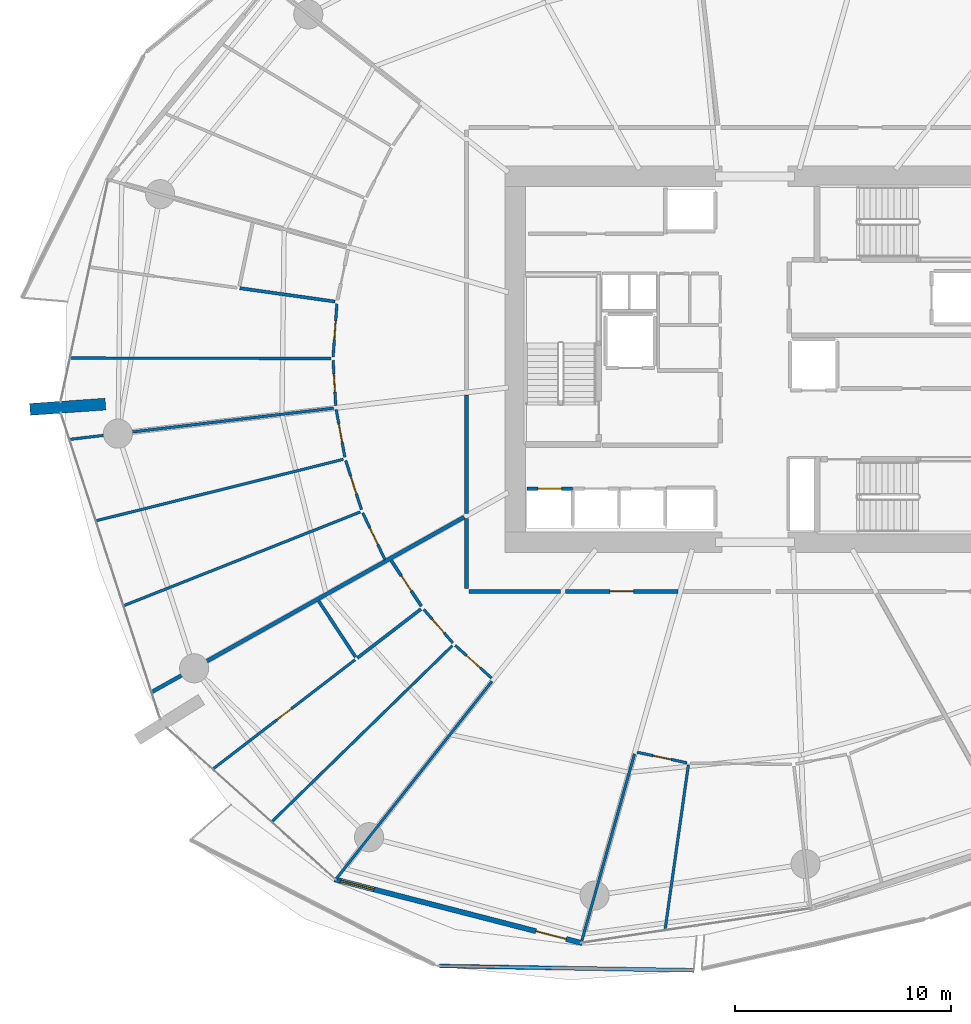
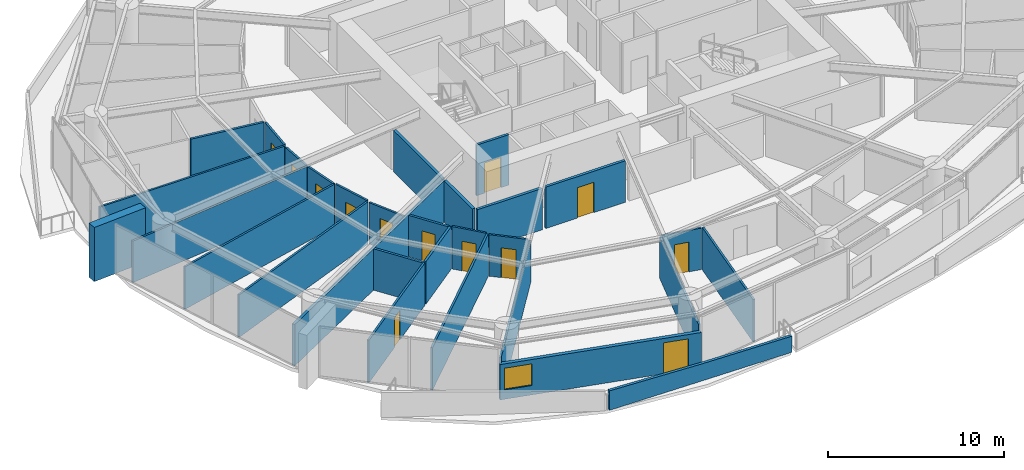
# One storey, part 19 of 32: 30 walls, 13 doors, 1 window, 14 openings.
"""IFC4 building model written with IfcOpenShell, lengths in metres."""

from ifc_helpers import new_model, si_unit, direction, frame, frame_2d, origin, place, context, subcontext, project, spatial, polyline, rectangle, outline, extrude, material, layer, layer_set, type_object, element, fill, save


model = new_model("IFC4")

# Units and contexts
model_context = context("Model", 3, precision=1e-05, world=origin(), true_north=direction((0.0, 1.0)))
body_context = subcontext(model_context, "Body", "Model", "MODEL_VIEW")
ifc_project = project(units=[si_unit("LENGTHUNIT", "METRE"), si_unit("AREAUNIT", "SQUARE_METRE"), si_unit("VOLUMEUNIT", "CUBIC_METRE"), si_unit("PLANEANGLEUNIT", "RADIAN"), si_unit("MASSUNIT", "GRAM", prefix="KILO")], contexts=[model_context])

# Site, building, storey
site_placement = place(None, origin())
site = spatial("IfcSite", under=ifc_project, at=site_placement, CompositionType="ELEMENT")
building_placement = place(site_placement, origin())
building = spatial("IfcBuilding", under=site, at=building_placement, Name="Kazma Halo Residences", CompositionType="ELEMENT")
storey_placement = place(building_placement, frame((0.0, 0.0, 63.89990234375)))
storey = spatial("IfcBuildingStorey", under=building, at=storey_placement, Name="L15", CompositionType="ELEMENT", Elevation=63.89990234375)

# Walls
ifc_material_1 = material(Name="White Concrete C50/60 Balustrade", Category="concrete")
ifc_layer_1 = layer(ifc_material_1, 0.179931640625)
ifc_layer_set_1 = layer_set([ifc_layer_1], Name="White Concrete C50/60 Balustrade")
wall_type_1 = type_object("IfcWallType", Name="WL-BAL-WAVE-180", PredefinedType="PARAPET", material=ifc_layer_set_1)
wall_1_placement = place(storey_placement, frame((33.796142578125, 13.8857421875, 0.0), z_axis=(0.0, 0.0, 1.0), x_axis=(0.999855793441, -0.016982117721, 0.0)))
element("IfcWall", 1, at=wall_1_placement, inside=storey, type_object=wall_type_1, Name="L15 white wave balustrade wall SW.2", PredefinedType="PARAPET", context=body_context, shape_type="SweptSolid", body=[
    extrude(outline(polyline([(0.0, 0.0), (11.802978515625, 0.0), (11.802978515625, 1.1201171875), (5.901611328125, 1.18212890625), (0.0, 1.34814453125), (0.0, 0.0)])), frame((0.0, 0.08984375, 0.0), z_axis=(0.0, -1.0, 0.0), x_axis=(1.0, 0.0, 0.0)), (0.0, 0.0, 1.0), 0.179931640625),
])
ifc_material_2 = material(Name="Pale Concrete C60/75", Category="concrete")
ifc_layer_2 = layer(ifc_material_2, 0.550048828125)
ifc_layer_set_2 = layer_set([ifc_layer_2], Name="Pale Concrete C60/75")
wall_type_2 = type_object("IfcWallType", Name="WL-BLADE-550", PredefinedType="SOLIDWALL", material=ifc_layer_set_2)
wall_2_placement = place(storey_placement, frame((18.322021484375, 39.9248046875, 0.0), z_axis=(0.0, 0.0, 1.0), x_axis=(-0.997564163539, -0.069754853754, 0.0)))
element("IfcWall", 2, at=wall_2_placement, inside=storey, type_object=wall_type_2, Name="L15 pale concrete structural blade fin wall BW-02", PredefinedType="SOLIDWALL", context=body_context, shape_type="SweptSolid", body=[
    extrude(rectangle(XDim=3.5, YDim=0.550048828125, at=frame_2d((1.75, 0.0))), origin(), (0.0, 0.0, 1.0), 3.75),
])
ifc_material_3 = material(Name="Acoustic Twin-Stud Gypsum")
ifc_layer_3 = layer(ifc_material_3, 0.179931640625)
ifc_layer_set_3 = layer_set([ifc_layer_3], Name="Acoustic Twin-Stud Gypsum")
wall_type_3 = type_object("IfcWallType", Name="WL-DEM-180", PredefinedType="PARTITIONING", material=ifc_layer_set_3)
wall_3_placement = place(storey_placement, frame((34.9541015625, 34.694091796875, 0.0), z_axis=(0.0, 0.0, 1.0), x_axis=(-0.872493465611, -0.488625779577, 0.0)))
element("IfcWall", 3, at=wall_3_placement, inside=storey, type_object=wall_type_3, Name="L15 apartment demising radial wall 08", PredefinedType="PARTITIONING", context=body_context, shape_type="SweptSolid", body=[
    extrude(rectangle(XDim=16.586181640625, YDim=0.179931640625, at=frame_2d((8.29296875, 0.0))), origin(), (0.0, 0.0, 1.0), 2.8671875),
])
wall_4_placement = place(storey_placement, frame((35.050048828125, 40.347412109375, 0.0), z_axis=(0.0, 0.0, 1.0), x_axis=(0.0, -1.0, 0.0)))
element("IfcWall", 4, at=wall_4_placement, inside=storey, type_object=wall_type_3, Name="L15 Apartment 1 inner wall 7", PredefinedType="PARTITIONING", context=body_context, shape_type="SweptSolid", body=[
    extrude(rectangle(XDim=5.479736328125, YDim=0.179931640625, at=frame_2d((2.73974609375, 0.0))), origin(), (0.0, 0.0, 1.0), 2.8671875),
])

# Wall, opening, door
wall_5_placement = place(storey_placement, frame((39.6455078125, 31.25, 0.0), z_axis=(0.0, 0.0, 1.0), x_axis=(1.0, 0.0, 0.0)))
wall_5 = element("IfcWall", 5, at=wall_5_placement, inside=storey, type_object=wall_type_3, Name="L15 Apartment 2 entrance corridor wall", PredefinedType="PARTITIONING", context=body_context, shape_type="SweptSolid", body=[
    extrude(rectangle(XDim=5.20263671875, YDim=0.179931640625, at=frame_2d((2.601318359375, 0.0))), origin(), (0.0, 0.0, 1.0), 2.8671875),
])
opening_1_placement = place(wall_5_placement, frame((2.051513671875, 0.0, 0.0)))
opening_1 = element("IfcOpeningElement", 6, at=opening_1_placement, cuts=wall_5, Name="Opening DA-1100", PredefinedType="OPENING", context=body_context, shape_type="SweptSolid", body=[
    extrude(rectangle(XDim=1.10009765625, YDim=2.10009765625, at=frame_2d((0.550048828125, 1.050048828125))), frame((0.0, 0.099853515625, 0.0), z_axis=(0.0, -1.0, 0.0), x_axis=(1.0, 0.0, 0.0)), (0.0, 0.0, 1.0), 0.199951171875),
])
ifc_material_4 = material(Name="Acoustic Walnut Fire Leaf")
door_type_1 = type_object("IfcDoorType", Name="DR-FD60-1100", OperationType="NOTDEFINED", PredefinedType="DOOR", material=ifc_material_4)
door_1_placement = place(opening_1_placement, origin())
door_1 = element("IfcDoor", 7, at=door_1_placement, inside=storey, type_object=door_type_1, Name="L15 Apartment 2 entrance fire door", OperationType="SINGLE_SWING_RIGHT", OverallHeight=2.10009765625, OverallWidth=1.10009765625, PredefinedType="DOOR", context=body_context, shape_type="SweptSolid", body=[
    extrude(rectangle(XDim=1.10009765625, YDim=2.10009765625, at=frame_2d((0.550048828125, 1.050048828125))), frame((0.0, 0.02490234375, 0.0), z_axis=(0.0, -1.0, 0.0), x_axis=(1.0, 0.0, 0.0)), (0.0, 0.0, 1.0), 0.050048828125),
])
fill(opening_1, door_1)

# Walls
wall_6_placement = place(storey_placement, frame((35.050048828125, 34.627685546875, 0.0), z_axis=(0.0, 0.0, 1.0), x_axis=(0.0, -1.0, 0.0)))
element("IfcWall", 8, at=wall_6_placement, inside=storey, type_object=wall_type_3, Name="L15 Apartment 2 inner wall 8", PredefinedType="PARTITIONING", context=body_context, shape_type="SweptSolid", body=[
    extrude(rectangle(XDim=3.257568359375, YDim=0.179931640625, at=frame_2d((1.62890625, 0.0))), origin(), (0.0, 0.0, 1.0), 2.8671875),
])
wall_7_placement = place(storey_placement, frame((35.169921875, 31.25, 0.0), z_axis=(0.0, 0.0, 1.0), x_axis=(1.0, 0.0, 0.0)))
element("IfcWall", 9, at=wall_7_placement, inside=storey, type_object=wall_type_3, Name="L15 Apartment 2 inner wall 8", PredefinedType="PARTITIONING", context=body_context, shape_type="SweptSolid", body=[
    extrude(rectangle(XDim=4.235595703125, YDim=0.179931640625, at=frame_2d((2.11767578125, 0.0))), origin(), (0.0, 0.0, 1.0), 2.8671875),
])

# Wall, openings, door, window
ifc_material_5 = material(Name="Insulated Pale-Metal Composite Wall")
ifc_layer_4 = layer(ifc_material_5, 0.239990234375)
ifc_layer_set_4 = layer_set([ifc_layer_4], Name="Insulated Pale-Metal Composite Wall")
wall_type_4 = type_object("IfcWallType", Name="WL-EXT-HOST-240", PredefinedType="SOLIDWALL", material=ifc_layer_set_4)
wall_8_placement = place(storey_placement, frame((28.94580078125, 17.90380859375, 0.0), z_axis=(0.0, 0.0, 1.0), x_axis=(0.96833871487, -0.249640007378, 0.0)))
wall_8 = element("IfcWall", 10, at=wall_8_placement, inside=storey, type_object=wall_type_4, Name="L15 exterior terrace-access wall B10", PredefinedType="SOLIDWALL", context=body_context, shape_type="SweptSolid", body=[
    extrude(rectangle(XDim=11.85107421875, YDim=0.239990234375, at=frame_2d((5.925537109375, 0.0))), origin(), (0.0, 0.0, 1.0), 2.4501953125),
])
opening_2_placement = place(wall_8_placement, frame((9.631103515625, 0.0, 0.0)))
opening_2 = element("IfcOpeningElement", 11, at=opening_2_placement, cuts=wall_8, Name="Opening DTR-1600", PredefinedType="OPENING", context=body_context, shape_type="SweptSolid", body=[
    extrude(rectangle(XDim=1.449951171875, YDim=2.14990234375, at=frame_2d((0.72509765625, 1.074951171875))), frame((0.0, 0.1298828125, 0.0), z_axis=(0.0, -1.0, 0.0), x_axis=(1.0, 0.0, 0.0)), (0.0, 0.0, 1.0), 0.260009765625),
])
opening_3_placement = place(wall_8_placement, frame((0.280029296875, 0.0, 0.64990234375)))
opening_3 = element("IfcOpeningElement", 12, at=opening_3_placement, cuts=wall_8, Name="Opening W-1800", PredefinedType="OPENING", context=body_context, shape_type="SweptSolid", body=[
    extrude(rectangle(XDim=1.60009765625, YDim=1.5, at=frame_2d((0.800048828125, 0.75))), frame((0.0, 0.1298828125, 0.0), z_axis=(0.0, -1.0, 0.0), x_axis=(1.0, 0.0, 0.0)), (0.0, 0.0, 1.0), 0.260009765625),
])
ifc_material_6 = material(Name="Aluminium AW-6063 T6 Double-Glazed Terrace Door", Category="aluminium")
door_type_2 = type_object("IfcDoorType", Name="DR-EXT-TERR-1600", OperationType="NOTDEFINED", PredefinedType="DOOR", material=ifc_material_6)
door_2_placement = place(opening_2_placement, origin())
door_2 = element("IfcDoor", 13, at=door_2_placement, inside=storey, type_object=door_type_2, Name="L15 B10 balcony terrace door", OperationType="DOUBLE_DOOR_SLIDING", OverallHeight=2.14990234375, OverallWidth=1.449951171875, PredefinedType="DOOR", context=body_context, shape_type="SweptSolid", body=[
    extrude(rectangle(XDim=1.449951171875, YDim=2.14990234375, at=frame_2d((0.72509765625, 1.074951171875))), frame((0.0, 0.02490234375, 0.0), z_axis=(0.0, -1.0, 0.0), x_axis=(1.0, 0.0, 0.0)), (0.0, 0.0, 1.0), 0.050048828125),
])
fill(opening_2, door_2)
ifc_material_7 = material(Name="Clear Triple-Silver Low-E Glass in Aluminium AW-6063 T6 Frame", Category="aluminium")
window_type = type_object("IfcWindowType", Name="WIN-RES-1800", PartitioningType="DOUBLE_PANEL_VERTICAL", PredefinedType="WINDOW", material=ifc_material_7)
window_placement = place(opening_3_placement, origin())
window = element("IfcWindow", 14, at=window_placement, inside=storey, type_object=window_type, Name="L15 B10 apartment window", OverallHeight=1.5, OverallWidth=1.60009765625, PartitioningType="SINGLE_PANEL", PredefinedType="WINDOW", context=body_context, shape_type="SweptSolid", body=[
    extrude(rectangle(XDim=1.60009765625, YDim=1.5, at=frame_2d((0.800048828125, 0.75))), frame((0.0, 0.030029296875, 0.0), z_axis=(0.0, -1.0, 0.0), x_axis=(1.0, 0.0, 0.0)), (0.0, 0.0, 1.0), 0.06005859375),
])
fill(opening_3, window)

# Wall, opening, door
ifc_material_8 = material(Name="Fire-Rated Blockwork Masonry", Category="masonry")
ifc_layer_5 = layer(ifc_material_8, 0.199951171875)
ifc_layer_set_5 = layer_set([ifc_layer_5], Name="Fire-Rated Blockwork Masonry")
wall_type_5 = type_object("IfcWallType", Name="WL-FLB-200", PredefinedType="PARTITIONING", material=ifc_layer_set_5)
wall_9_placement = place(storey_placement, frame((37.864990234375, 36.0048828125, 0.0), z_axis=(0.0, 0.0, 1.0), x_axis=(1.0, 0.0, 0.0)))
wall_9 = element("IfcWall", 15, at=wall_9_placement, inside=storey, type_object=wall_type_5, Name="L15 lift shaft PL-01 front wall", PredefinedType="PARTITIONING", context=body_context, shape_type="SweptSolid", body=[
    extrude(rectangle(XDim=2.110107421875, YDim=0.159912109375, at=frame_2d((1.05517578125, 0.0))), origin(), (0.0, 0.0, 1.0), 3.5),
])
opening_4_placement = place(wall_9_placement, frame((0.5048828125, 0.0, 0.0)))
opening_4 = element("IfcOpeningElement", 16, at=opening_4_placement, cuts=wall_9, Name="Opening LD-PL-01", PredefinedType="OPENING", context=body_context, shape_type="SweptSolid", body=[
    extrude(rectangle(XDim=1.10009765625, YDim=2.10009765625, at=frame_2d((0.550048828125, 1.050048828125))), frame((0.0, 0.08984375, 0.0), z_axis=(0.0, -1.0, 0.0), x_axis=(1.0, 0.0, 0.0)), (0.0, 0.0, 1.0), 0.179931640625),
])
ifc_material_9 = material(Name="Stainless Steel Fire-Rated", Category="steel")
door_type_3 = type_object("IfcDoorType", Name="DR-LIFT-SLD-1100", OperationType="DOUBLE_DOOR_SLIDING", PredefinedType="DOOR", material=ifc_material_9)
door_3_placement = place(opening_4_placement, origin())
door_3 = element("IfcDoor", 17, at=door_3_placement, inside=storey, type_object=door_type_3, Name="L15 lift PL-01 sliding landing door", OperationType="DOUBLE_DOOR_SLIDING", OverallHeight=2.10009765625, OverallWidth=1.10009765625, PredefinedType="DOOR", context=body_context, shape_type="SweptSolid", body=[
    extrude(rectangle(XDim=1.10009765625, YDim=2.10009765625, at=frame_2d((0.550048828125, 1.050048828125))), frame((0.0, 0.02490234375, 0.0), z_axis=(0.0, -1.0, 0.0), x_axis=(1.0, 0.0, 0.0)), (0.0, 0.0, 1.0), 0.050048828125),
])
fill(opening_4, door_3)

# Wall
ifc_material_10 = material(Name="Gypsum Plasterboard Partition")
ifc_layer_6 = layer(ifc_material_10, 0.125)
ifc_layer_set_6 = layer_set([ifc_layer_6], Name="Gypsum Plasterboard Partition")
wall_type_6 = type_object("IfcWallType", Name="WL-PART-125", PredefinedType="PARTITIONING", material=ifc_layer_set_6)
wall_10_placement = place(storey_placement, frame((28.780029296875, 42.0380859375, 0.0), z_axis=(0.0, 0.0, 1.0), x_axis=(-0.999998036955, 0.001981435282, 0.0)))
element("IfcWall", 18, at=wall_10_placement, inside=storey, type_object=wall_type_6, Name="L15 Apartment 1 suite divider 6", PredefinedType="PARTITIONING", context=body_context, shape_type="SweptSolid", body=[
    extrude(rectangle(XDim=12.074951171875, YDim=0.125, at=frame_2d((6.03759765625, 0.0))), origin(), (0.0, 0.0, 1.0), 2.940185546875),
])

# Wall, opening, door
wall_11_placement = place(storey_placement, frame((29.05029296875, 44.575927734375, 0.0), z_axis=(0.0, 0.0, 1.0), x_axis=(-0.070831673661, -0.997488282641, 0.0)))
wall_11 = element("IfcWall", 19, at=wall_11_placement, inside=storey, type_object=wall_type_6, Name="L15 Apartment 1 Outer Formal Dining Room hall wall", PredefinedType="PARTITIONING", context=body_context, shape_type="SweptSolid", body=[
    extrude(rectangle(XDim=2.46435546875, YDim=0.125, at=frame_2d((1.232177734375, 0.0))), origin(), (0.0, 0.0, 1.0), 2.940185546875),
])
opening_5_placement = place(wall_11_placement, frame((0.80712890625, 0.0, 0.0)))
opening_5 = element("IfcOpeningElement", 20, at=opening_5_placement, cuts=wall_11, Name="Opening DB-900", PredefinedType="OPENING", context=body_context, shape_type="SweptSolid", body=[
    extrude(rectangle(XDim=0.85009765625, YDim=2.06005859375, at=frame_2d((0.425048828125, 1.030029296875))), frame((0.0, 0.072509765625, 0.0), z_axis=(0.0, -1.0, 0.0), x_axis=(1.0, 0.0, 0.0)), (0.0, 0.0, 1.0), 0.14501953125),
])
ifc_material_11 = material(Name="Moisture-Sealed Timber Leaf", Category="wood")
door_type_4 = type_object("IfcDoorType", Name="DR-BTH-900", OperationType="NOTDEFINED", PredefinedType="DOOR", material=ifc_material_11)
door_4_placement = place(opening_5_placement, origin())
door_4 = element("IfcDoor", 21, at=door_4_placement, inside=storey, type_object=door_type_4, Name="L15 Apartment 1 Outer Formal Dining Room door", OperationType="SINGLE_SWING_RIGHT", OverallHeight=2.06005859375, OverallWidth=0.85009765625, PredefinedType="DOOR", context=body_context, shape_type="SweptSolid", body=[
    extrude(rectangle(XDim=0.85009765625, YDim=2.06005859375, at=frame_2d((0.425048828125, 1.030029296875))), frame((0.0, 0.02490234375, 0.0), z_axis=(0.0, -1.0, 0.0), x_axis=(1.0, 0.0, 0.0)), (0.0, 0.0, 1.0), 0.050048828125),
])
fill(opening_5, door_4)

wall_12_placement = place(storey_placement, frame((28.87451171875, 41.9580078125, 0.0), z_axis=(0.0, 0.0, 1.0), x_axis=(0.057962417622, -0.998318765797, 0.0)))
wall_12 = element("IfcWall", 22, at=wall_12_placement, inside=storey, type_object=wall_type_6, Name="L15 Apartment 1 Corner Master Bedroom hall wall", PredefinedType="PARTITIONING", context=body_context, shape_type="SweptSolid", body=[
    extrude(rectangle(XDim=2.1103515625, YDim=0.125, at=frame_2d((1.05517578125, 0.0))), origin(), (0.0, 0.0, 1.0), 2.8671875),
])
opening_6_placement = place(wall_12_placement, frame((0.630126953125, 0.0, 0.0)))
opening_6 = element("IfcOpeningElement", 23, at=opening_6_placement, cuts=wall_12, Name="Opening DB-900", PredefinedType="OPENING", context=body_context, shape_type="SweptSolid", body=[
    extrude(rectangle(XDim=0.85009765625, YDim=2.06005859375, at=frame_2d((0.425048828125, 1.030029296875))), frame((0.0, 0.072509765625, 0.0), z_axis=(0.0, -1.0, 0.0), x_axis=(1.0, 0.0, 0.0)), (0.0, 0.0, 1.0), 0.14501953125),
])
door_5_placement = place(opening_6_placement, origin())
door_5 = element("IfcDoor", 24, at=door_5_placement, inside=storey, type_object=door_type_4, Name="L15 Apartment 1 Corner Master Bedroom door", OperationType="SINGLE_SWING_LEFT", OverallHeight=2.06005859375, OverallWidth=0.85009765625, PredefinedType="DOOR", context=body_context, shape_type="SweptSolid", body=[
    extrude(rectangle(XDim=0.85009765625, YDim=2.06005859375, at=frame_2d((0.425048828125, 1.030029296875))), frame((0.0, 0.02490234375, 0.0), z_axis=(0.0, -1.0, 0.0), x_axis=(1.0, 0.0, 0.0)), (0.0, 0.0, 1.0), 0.050048828125),
])
fill(opening_6, door_5)

# Walls
wall_13_placement = place(storey_placement, frame((28.9033203125, 39.73974609375, 0.0), z_axis=(0.0, 0.0, 1.0), x_axis=(-0.993068040113, -0.117540919282, 0.0)))
element("IfcWall", 25, at=wall_13_placement, inside=storey, type_object=wall_type_6, Name="L15 Apartment 1 radial partition 7", PredefinedType="PARTITIONING", context=body_context, shape_type="SweptSolid", body=[
    extrude(rectangle(XDim=12.30859375, YDim=0.125, at=frame_2d((6.154296875, 0.0))), origin(), (0.0, 0.0, 1.0), 2.8671875),
])
wall_14_placement = place(storey_placement, frame((29.346923828125, 37.366455078125, 0.0), z_axis=(0.0, 0.0, 1.0), x_axis=(-0.970510462135, -0.241059002917, 0.0)))
element("IfcWall", 26, at=wall_14_placement, inside=storey, type_object=wall_type_6, Name="L15 Apartment 1 bay wall 1 7", PredefinedType="PARTITIONING", context=body_context, shape_type="SweptSolid", body=[
    extrude(rectangle(XDim=11.789794921875, YDim=0.125, at=frame_2d((5.89501953125, 0.0))), origin(), (0.0, 0.0, 1.0), 2.940185546875),
])
wall_15_placement = place(storey_placement, frame((30.129638671875, 34.9248046875, 0.0), z_axis=(0.0, 0.0, 1.0), x_axis=(-0.929770978957, -0.368138461302, 0.0)))
element("IfcWall", 27, at=wall_15_placement, inside=storey, type_object=wall_type_6, Name="L15 Apartment 1 bay wall 2 7", PredefinedType="PARTITIONING", context=body_context, shape_type="SweptSolid", body=[
    extrude(rectangle(XDim=11.7734375, YDim=0.125, at=frame_2d((5.88671875, 0.0))), origin(), (0.0, 0.0, 1.0), 2.940185546875),
])

# Wall, opening, door
wall_16_placement = place(storey_placement, frame((29.01708984375, 39.6728515625, 0.0), z_axis=(0.0, 0.0, 1.0), x_axis=(0.179632658462, -0.983733758704, 0.0)))
wall_16 = element("IfcWall", 28, at=wall_16_placement, inside=storey, type_object=wall_type_6, Name="L15 Apartment 1 Garden Master Bedroom hall wall", PredefinedType="PARTITIONING", context=body_context, shape_type="SweptSolid", body=[
    extrude(rectangle(XDim=2.242431640625, YDim=0.125, at=frame_2d((1.12109375, 0.0))), origin(), (0.0, 0.0, 1.0), 2.8671875),
])
opening_7_placement = place(wall_16_placement, frame((0.6962890625, 0.0, 0.0)))
opening_7 = element("IfcOpeningElement", 29, at=opening_7_placement, cuts=wall_16, Name="Opening DB-900", PredefinedType="OPENING", context=body_context, shape_type="SweptSolid", body=[
    extrude(rectangle(XDim=0.85009765625, YDim=2.06005859375, at=frame_2d((0.425048828125, 1.030029296875))), frame((0.0, 0.072509765625, 0.0), z_axis=(0.0, -1.0, 0.0), x_axis=(1.0, 0.0, 0.0)), (0.0, 0.0, 1.0), 0.14501953125),
])
door_6_placement = place(opening_7_placement, origin())
door_6 = element("IfcDoor", 30, at=door_6_placement, inside=storey, type_object=door_type_4, Name="L15 Apartment 1 Garden Master Bedroom door", OperationType="SINGLE_SWING_RIGHT", OverallHeight=2.06005859375, OverallWidth=0.85009765625, PredefinedType="DOOR", context=body_context, shape_type="SweptSolid", body=[
    extrude(rectangle(XDim=0.85009765625, YDim=2.06005859375, at=frame_2d((0.425048828125, 1.030029296875))), frame((0.0, 0.02490234375, 0.0), z_axis=(0.0, -1.0, 0.0), x_axis=(1.0, 0.0, 0.0)), (0.0, 0.0, 1.0), 0.050048828125),
])
fill(opening_7, door_6)

wall_17_placement = place(storey_placement, frame((29.45849609375, 37.31201171875, 0.0), z_axis=(0.0, 0.0, 1.0), x_axis=(0.305338513131, -0.952243872335, 0.0)))
wall_17 = element("IfcWall", 31, at=wall_17_placement, inside=storey, type_object=wall_type_6, Name="L15 Apartment 1 Sky Dressing Wardrobe hall wall", PredefinedType="PARTITIONING", context=body_context, shape_type="SweptSolid", body=[
    extrude(rectangle(XDim=2.392333984375, YDim=0.125, at=frame_2d((1.1962890625, 0.0))), origin(), (0.0, 0.0, 1.0), 2.940185546875),
])
opening_8_placement = place(wall_17_placement, frame((0.77099609375, 0.0, 0.0)))
opening_8 = element("IfcOpeningElement", 32, at=opening_8_placement, cuts=wall_17, Name="Opening DB-900", PredefinedType="OPENING", context=body_context, shape_type="SweptSolid", body=[
    extrude(rectangle(XDim=0.85009765625, YDim=2.06005859375, at=frame_2d((0.425048828125, 1.030029296875))), frame((0.0, 0.072509765625, 0.0), z_axis=(0.0, -1.0, 0.0), x_axis=(1.0, 0.0, 0.0)), (0.0, 0.0, 1.0), 0.14501953125),
])
door_7_placement = place(opening_8_placement, origin())
door_7 = element("IfcDoor", 33, at=door_7_placement, inside=storey, type_object=door_type_4, Name="L15 Apartment 1 Sky Dressing Wardrobe door", OperationType="SINGLE_SWING_LEFT", OverallHeight=2.06005859375, OverallWidth=0.85009765625, PredefinedType="DOOR", context=body_context, shape_type="SweptSolid", body=[
    extrude(rectangle(XDim=0.85009765625, YDim=2.06005859375, at=frame_2d((0.425048828125, 1.030029296875))), frame((0.0, 0.02490234375, 0.0), z_axis=(0.0, -1.0, 0.0), x_axis=(1.0, 0.0, 0.0)), (0.0, 0.0, 1.0), 0.050048828125),
])
fill(opening_8, door_7)

wall_18_placement = place(storey_placement, frame((30.247802734375, 34.885498046875, 0.0), z_axis=(0.0, 0.0, 1.0), x_axis=(0.429366977128, -0.903130111862, 0.0)))
wall_18 = element("IfcWall", 34, at=wall_18_placement, inside=storey, type_object=wall_type_6, Name="L15 Apartment 1 Gulf Master Bedroom hall wall", PredefinedType="PARTITIONING", context=body_context, shape_type="SweptSolid", body=[
    extrude(rectangle(XDim=2.39208984375, YDim=0.125, at=frame_2d((1.196044921875, 0.0))), origin(), (0.0, 0.0, 1.0), 2.8671875),
])
opening_9_placement = place(wall_18_placement, frame((0.77099609375, 0.0, 0.0)))
opening_9 = element("IfcOpeningElement", 35, at=opening_9_placement, cuts=wall_18, Name="Opening DB-900", PredefinedType="OPENING", context=body_context, shape_type="SweptSolid", body=[
    extrude(rectangle(XDim=0.85009765625, YDim=2.06005859375, at=frame_2d((0.425048828125, 1.030029296875))), frame((0.0, 0.072509765625, 0.0), z_axis=(0.0, -1.0, 0.0), x_axis=(1.0, 0.0, 0.0)), (0.0, 0.0, 1.0), 0.14501953125),
])
door_8_placement = place(opening_9_placement, origin())
door_8 = element("IfcDoor", 36, at=door_8_placement, inside=storey, type_object=door_type_4, Name="L15 Apartment 1 Gulf Master Bedroom door", OperationType="SINGLE_SWING_RIGHT", OverallHeight=2.06005859375, OverallWidth=0.85009765625, PredefinedType="DOOR", context=body_context, shape_type="SweptSolid", body=[
    extrude(rectangle(XDim=0.85009765625, YDim=2.06005859375, at=frame_2d((0.425048828125, 1.030029296875))), frame((0.0, 0.02490234375, 0.0), z_axis=(0.0, -1.0, 0.0), x_axis=(1.0, 0.0, 0.0)), (0.0, 0.0, 1.0), 0.050048828125),
])
fill(opening_9, door_8)

# Wall
wall_19_placement = place(storey_placement, frame((36.2373046875, 27.0791015625, 0.0), z_axis=(0.0, 0.0, 1.0), x_axis=(-0.619088814595, -0.785320978736, 0.0)))
element("IfcWall", 37, at=wall_19_placement, inside=storey, type_object=wall_type_6, Name="L15 Apartment 2 living radial partition 8", PredefinedType="PARTITIONING", context=body_context, shape_type="SweptSolid", body=[
    extrude(rectangle(XDim=11.674560546875, YDim=0.125, at=frame_2d((5.83740234375, 0.0))), origin(), (0.0, 0.0, 1.0), 2.8671875),
])

# Wall, opening, door
wall_20_placement = place(storey_placement, frame((29.892578125, 28.0791015625, 0.0), z_axis=(0.0, 0.0, 1.0), x_axis=(-0.792808777476, -0.60947046061, 0.0)))
wall_20 = element("IfcWall", 38, at=wall_20_placement, inside=storey, type_object=wall_type_6, Name="L15 Apartment 2 Household Store Room partition wall", PredefinedType="PARTITIONING", context=body_context, shape_type="SweptSolid", body=[
    extrude(rectangle(XDim=8.298828125, YDim=0.125, at=frame_2d((4.1494140625, 0.0))), origin(), (0.0, 0.0, 1.0), 2.940185546875),
])
opening_10_placement = place(wall_20_placement, frame((3.724365234375, 0.0, 0.0)))
opening_10 = element("IfcOpeningElement", 39, at=opening_10_placement, cuts=wall_20, Name="Opening DB-900", PredefinedType="OPENING", context=body_context, shape_type="SweptSolid", body=[
    extrude(rectangle(XDim=0.85009765625, YDim=2.06005859375, at=frame_2d((0.425048828125, 1.030029296875))), frame((0.0, 0.072509765625, 0.0), z_axis=(0.0, -1.0, 0.0), x_axis=(1.0, 0.0, 0.0)), (0.0, 0.0, 1.0), 0.14501953125),
])
door_9_placement = place(opening_10_placement, origin())
door_9 = element("IfcDoor", 40, at=door_9_placement, inside=storey, type_object=door_type_4, Name="L15 Apartment 2 Household Store Room door", OperationType="SINGLE_SWING_LEFT", OverallHeight=2.06005859375, OverallWidth=0.85009765625, PredefinedType="DOOR", context=body_context, shape_type="SweptSolid", body=[
    extrude(rectangle(XDim=0.85009765625, YDim=2.06005859375, at=frame_2d((0.425048828125, 1.030029296875))), frame((0.0, 0.02490234375, 0.0), z_axis=(0.0, -1.0, 0.0), x_axis=(1.0, 0.0, 0.0)), (0.0, 0.0, 1.0), 0.050048828125),
])
fill(opening_10, door_9)

# Wall
wall_21_placement = place(storey_placement, frame((34.408203125, 28.73779296875, 0.0), z_axis=(0.0, 0.0, 1.0), x_axis=(-0.715751902764, -0.698354647504, 0.0)))
element("IfcWall", 41, at=wall_21_placement, inside=storey, type_object=wall_type_6, Name="L15 Apartment 2 suite divider 8", PredefinedType="PARTITIONING", context=body_context, shape_type="SweptSolid", body=[
    extrude(rectangle(XDim=11.689697265625, YDim=0.125, at=frame_2d((5.8447265625, 0.0))), origin(), (0.0, 0.0, 1.0), 2.940185546875),
])

# Wall, opening, door
wall_22_placement = place(storey_placement, frame((33.0751953125, 30.41259765625, 0.0), z_axis=(0.0, 0.0, 1.0), x_axis=(0.655021066846, -0.755610615322, 0.0)))
wall_22 = element("IfcWall", 42, at=wall_22_placement, inside=storey, type_object=wall_type_6, Name="L15 Apartment 2 Gourmet Kitchen hall wall", PredefinedType="PARTITIONING", context=body_context, shape_type="SweptSolid", body=[
    extrude(rectangle(XDim=2.05322265625, YDim=0.125, at=frame_2d((1.026611328125, 0.0))), origin(), (0.0, 0.0, 1.0), 2.940185546875),
])
opening_11_placement = place(wall_22_placement, frame((0.601806640625, 0.0, 0.0)))
opening_11 = element("IfcOpeningElement", 43, at=opening_11_placement, cuts=wall_22, Name="Opening DB-900", PredefinedType="OPENING", context=body_context, shape_type="SweptSolid", body=[
    extrude(rectangle(XDim=0.85009765625, YDim=2.06005859375, at=frame_2d((0.425048828125, 1.030029296875))), frame((0.0, 0.072509765625, 0.0), z_axis=(0.0, -1.0, 0.0), x_axis=(1.0, 0.0, 0.0)), (0.0, 0.0, 1.0), 0.14501953125),
])
door_10_placement = place(opening_11_placement, origin())
door_10 = element("IfcDoor", 44, at=door_10_placement, inside=storey, type_object=door_type_4, Name="L15 Apartment 2 Gourmet Kitchen door", OperationType="SINGLE_SWING_RIGHT", OverallHeight=2.06005859375, OverallWidth=0.85009765625, PredefinedType="DOOR", context=body_context, shape_type="SweptSolid", body=[
    extrude(rectangle(XDim=0.85009765625, YDim=2.06005859375, at=frame_2d((0.425048828125, 1.030029296875))), frame((0.0, 0.02490234375, 0.0), z_axis=(0.0, -1.0, 0.0), x_axis=(1.0, 0.0, 0.0)), (0.0, 0.0, 1.0), 0.050048828125),
])
fill(opening_11, door_10)

wall_23_placement = place(storey_placement, frame((34.531982421875, 28.747314453125, 0.0), z_axis=(0.0, 0.0, 1.0), x_axis=(0.743432740472, -0.668810705951, 0.0)))
wall_23 = element("IfcWall", 45, at=wall_23_placement, inside=storey, type_object=wall_type_6, Name="L15 Apartment 2 Master Bedroom hall wall", PredefinedType="PARTITIONING", context=body_context, shape_type="SweptSolid", body=[
    extrude(rectangle(XDim=2.277099609375, YDim=0.125, at=frame_2d((1.138671875, 0.0))), origin(), (0.0, 0.0, 1.0), 2.8671875),
])
opening_12_placement = place(wall_23_placement, frame((0.71337890625, 0.0, 0.0)))
opening_12 = element("IfcOpeningElement", 46, at=opening_12_placement, cuts=wall_23, Name="Opening DB-900", PredefinedType="OPENING", context=body_context, shape_type="SweptSolid", body=[
    extrude(rectangle(XDim=0.85009765625, YDim=2.06005859375, at=frame_2d((0.425048828125, 1.030029296875))), frame((0.0, 0.072509765625, 0.0), z_axis=(0.0, -1.0, 0.0), x_axis=(1.0, 0.0, 0.0)), (0.0, 0.0, 1.0), 0.14501953125),
])
door_11_placement = place(opening_12_placement, origin())
door_11 = element("IfcDoor", 47, at=door_11_placement, inside=storey, type_object=door_type_4, Name="L15 Apartment 2 Master Bedroom door", OperationType="SINGLE_SWING_LEFT", OverallHeight=2.06005859375, OverallWidth=0.85009765625, PredefinedType="DOOR", context=body_context, shape_type="SweptSolid", body=[
    extrude(rectangle(XDim=0.85009765625, YDim=2.06005859375, at=frame_2d((0.425048828125, 1.030029296875))), frame((0.0, 0.02490234375, 0.0), z_axis=(0.0, -1.0, 0.0), x_axis=(1.0, 0.0, 0.0)), (0.0, 0.0, 1.0), 0.050048828125),
])
fill(opening_12, door_11)

# Walls
wall_24_placement = place(storey_placement, frame((42.8427734375, 23.71337890625, 0.0), z_axis=(0.0, 0.0, 1.0), x_axis=(-0.271456287213, -0.962450769719, 0.0)))
element("IfcWall", 48, at=wall_24_placement, inside=storey, type_object=wall_type_6, Name="L15 Apartment 2 radial partition 10", PredefinedType="PARTITIONING", context=body_context, shape_type="SweptSolid", body=[
    extrude(rectangle(XDim=8.97216796875, YDim=0.125, at=frame_2d((4.486083984375, 0.0))), origin(), (0.0, 0.0, 1.0), 2.8671875),
])
wall_25_placement = place(storey_placement, frame((45.339111328125, 23.197509765625, 0.0), z_axis=(0.0, 0.0, 1.0), x_axis=(-0.140135186141, -0.990132379839, 0.0)))
element("IfcWall", 49, at=wall_25_placement, inside=storey, type_object=wall_type_6, Name="L15 Apartment 2 mid-bay wall 10", PredefinedType="PARTITIONING", context=body_context, shape_type="SweptSolid", body=[
    extrude(rectangle(XDim=7.70751953125, YDim=0.125, at=frame_2d((3.853759765625, 0.0))), origin(), (0.0, 0.0, 1.0), 2.940185546875),
])

# Wall, opening, door
wall_26_placement = place(storey_placement, frame((42.9677734375, 23.7890625, 0.0), z_axis=(0.0, 0.0, 1.0), x_axis=(0.978491482484, -0.206287223806, 0.0)))
wall_26 = element("IfcWall", 50, at=wall_26_placement, inside=storey, type_object=wall_type_6, Name="L15 Apartment 2 East Bedroom hall wall", PredefinedType="PARTITIONING", context=body_context, shape_type="SweptSolid", body=[
    extrude(rectangle(XDim=2.3564453125, YDim=0.125, at=frame_2d((1.17822265625, 0.0))), origin(), (0.0, 0.0, 1.0), 2.8671875),
])
opening_13_placement = place(wall_26_placement, frame((0.753173828125, 0.0, 0.0)))
opening_13 = element("IfcOpeningElement", 51, at=opening_13_placement, cuts=wall_26, Name="Opening DB-900", PredefinedType="OPENING", context=body_context, shape_type="SweptSolid", body=[
    extrude(rectangle(XDim=0.85009765625, YDim=2.06005859375, at=frame_2d((0.425048828125, 1.030029296875))), frame((0.0, 0.072509765625, 0.0), z_axis=(0.0, -1.0, 0.0), x_axis=(1.0, 0.0, 0.0)), (0.0, 0.0, 1.0), 0.14501953125),
])
door_12_placement = place(opening_13_placement, origin())
door_12 = element("IfcDoor", 52, at=door_12_placement, inside=storey, type_object=door_type_4, Name="L15 Apartment 2 East Bedroom door", OperationType="SINGLE_SWING_RIGHT", OverallHeight=2.06005859375, OverallWidth=0.85009765625, PredefinedType="DOOR", context=body_context, shape_type="SweptSolid", body=[
    extrude(rectangle(XDim=0.85009765625, YDim=2.06005859375, at=frame_2d((0.425048828125, 1.030029296875))), frame((0.0, 0.02490234375, 0.0), z_axis=(0.0, -1.0, 0.0), x_axis=(1.0, 0.0, 0.0)), (0.0, 0.0, 1.0), 0.050048828125),
])
fill(opening_13, door_12)

# Wall
ifc_material_12 = material(Name="Moisture-Resistant Gypsum")
ifc_layer_7 = layer(ifc_material_12, 0.14990234375)
ifc_layer_set_7 = layer_set([ifc_layer_7], Name="Moisture-Resistant Gypsum")
wall_type_7 = type_object("IfcWallType", Name="WL-WET-150", PredefinedType="PARTITIONING", material=ifc_layer_set_7)
wall_27_placement = place(storey_placement, frame((28.967529296875, 44.67822265625, 0.0), z_axis=(0.0, 0.0, 1.0), x_axis=(-0.990240767804, 0.139367219172, 0.0)))
element("IfcWall", 53, at=wall_27_placement, inside=storey, type_object=wall_type_7, Name="L15 Apartment 1 South En-Suite Bathroom side wall", PredefinedType="PARTITIONING", context=body_context, shape_type="SweptSolid", body=[
    extrude(rectangle(XDim=4.4599609375, YDim=0.14990234375, at=frame_2d((2.22998046875, 0.0))), origin(), (0.0, 0.0, 1.0), 2.940185546875),
])

# Wall, opening, door
wall_28_placement = place(storey_placement, frame((31.56494140625, 32.681640625, 0.0), z_axis=(0.0, 0.0, 1.0), x_axis=(0.550533618108, -0.834812994229, 0.0)))
wall_28 = element("IfcWall", 54, at=wall_28_placement, inside=storey, type_object=wall_type_7, Name="L15 Apartment 2 Guest Bathroom hall wall", PredefinedType="PARTITIONING", context=body_context, shape_type="SweptSolid", body=[
    extrude(rectangle(XDim=2.54638671875, YDim=0.14990234375, at=frame_2d((1.273193359375, 0.0))), origin(), (0.0, 0.0, 1.0), 2.8671875),
])
opening_14_placement = place(wall_28_placement, frame((0.84814453125, 0.0, 0.0)))
opening_14 = element("IfcOpeningElement", 55, at=opening_14_placement, cuts=wall_28, Name="Opening DB-900", PredefinedType="OPENING", context=body_context, shape_type="SweptSolid", body=[
    extrude(rectangle(XDim=0.85009765625, YDim=2.06005859375, at=frame_2d((0.425048828125, 1.030029296875))), frame((0.0, 0.0849609375, 0.0), z_axis=(0.0, -1.0, 0.0), x_axis=(1.0, 0.0, 0.0)), (0.0, 0.0, 1.0), 0.169921875),
])
door_13_placement = place(opening_14_placement, origin())
door_13 = element("IfcDoor", 56, at=door_13_placement, inside=storey, type_object=door_type_4, Name="L15 Apartment 2 Guest Bathroom door", OperationType="SINGLE_SWING_RIGHT", OverallHeight=2.06005859375, OverallWidth=0.85009765625, PredefinedType="DOOR", context=body_context, shape_type="SweptSolid", body=[
    extrude(rectangle(XDim=0.85009765625, YDim=2.06005859375, at=frame_2d((0.425048828125, 1.030029296875))), frame((0.0, 0.02490234375, 0.0), z_axis=(0.0, -1.0, 0.0), x_axis=(1.0, 0.0, 0.0)), (0.0, 0.0, 1.0), 0.050048828125),
])
fill(opening_14, door_13)

# Walls
wall_29_placement = place(storey_placement, frame((28.205810546875, 30.80029296875, 0.0), z_axis=(0.0, 0.0, 1.0), x_axis=(0.550481610401, -0.834847289395, 0.0)))
element("IfcWall", 57, at=wall_29_placement, inside=storey, type_object=wall_type_7, Name="L15 Apartment 2 Guest Bathroom back wall", PredefinedType="PARTITIONING", context=body_context, shape_type="SweptSolid", body=[
    extrude(rectangle(XDim=3.103759765625, YDim=0.14990234375, at=frame_2d((1.5517578125, 0.0))), origin(), (0.0, 0.0, 1.0), 2.8671875),
])
wall_30_placement = place(storey_placement, frame((32.94482421875, 30.42578125, 0.0), z_axis=(0.0, 0.0, 1.0), x_axis=(-0.79279229966, -0.609491894614, 0.0)))
element("IfcWall", 58, at=wall_30_placement, inside=storey, type_object=wall_type_7, Name="L15 Apartment 2 Guest Bathroom side wall", PredefinedType="PARTITIONING", context=body_context, shape_type="SweptSolid", body=[
    extrude(rectangle(XDim=3.719970703125, YDim=0.14990234375, at=frame_2d((1.85986328125, 0.0))), origin(), (0.0, 0.0, 1.0), 2.940185546875),
])

save(model, "model.ifc")
